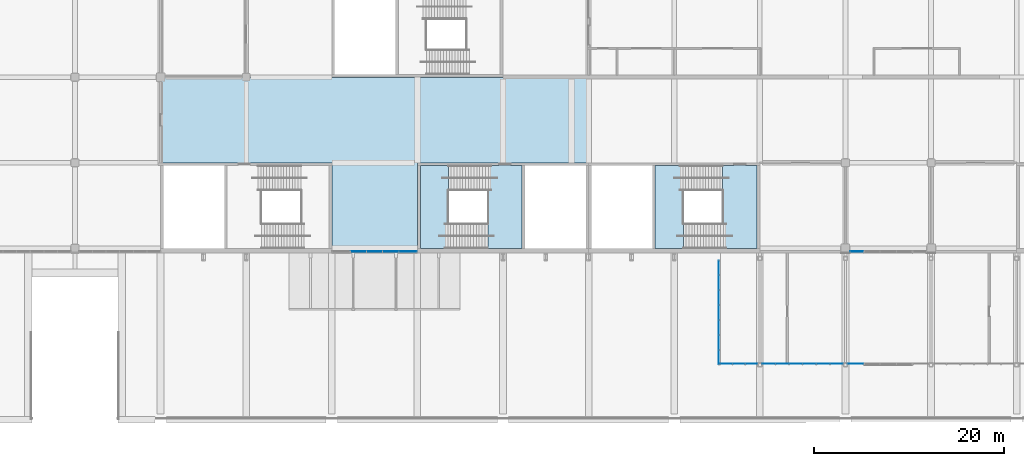
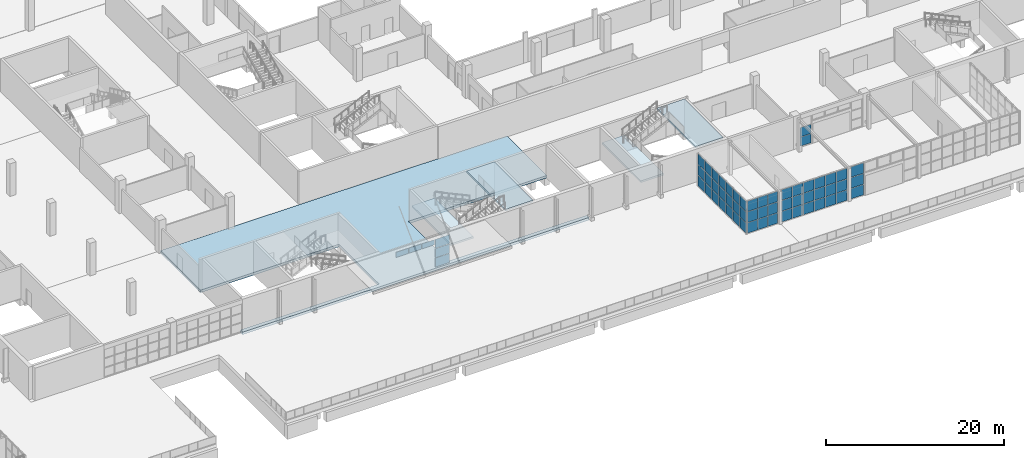
# One storey, part 78 of 168: 59 plates, 5 slabs, 9 elements without a shape of their own.
"""IFC4 building model written with IfcOpenShell, lengths in metres."""

from ifc_helpers import new_model, si_unit, direction, frame, origin, origin_2d, place, context, subcontext, project, spatial, polyline, rectangle, outline, extrude, material, layer, layer_set, type_object, element, aggregate, save


model = new_model("IFC4")

# Units and contexts
model_context = context("Model", 3, precision=1e-05, world=origin(), true_north=direction((0.0, 1.0)))
body_context = subcontext(model_context, "Body", "Model", "MODEL_VIEW")
ifc_project = project(units=[si_unit("LENGTHUNIT", "METRE"), si_unit("AREAUNIT", "SQUARE_METRE"), si_unit("VOLUMEUNIT", "CUBIC_METRE"), si_unit("PLANEANGLEUNIT", "RADIAN"), si_unit("MASSUNIT", "GRAM", prefix="KILO")], contexts=[model_context])

# Site, building, storey
site_placement = place(None, origin())
site = spatial("IfcSite", under=ifc_project, at=site_placement, CompositionType="ELEMENT")
building_placement = place(site_placement, origin())
building = spatial("IfcBuilding", under=site, at=building_placement, Name="Silverbay Arena", CompositionType="ELEMENT")
storey_placement = place(building_placement, frame((0.0, 0.0, 7.0)))
storey = spatial("IfcBuildingStorey", under=building, at=storey_placement, Name="L01", CompositionType="ELEMENT", Elevation=7.0)

# Curtain wall, plates
ifc_material_1 = material(Name="Aluminium framed curtain wall", Category="aluminium")
curtain_wall_type_1 = type_object("IfcCurtainWallType", Name="Curtain wall 1950 x 3900", PredefinedType="NOTDEFINED", material=ifc_material_1)
curtain_wall_1_placement = place(storey_placement, origin())
curtain_wall_1 = element("IfcCurtainWall", 1, at=curtain_wall_1_placement, inside=storey, type_object=curtain_wall_type_1, Name="South curtain wall L01 bay 6", PredefinedType="NOTDEFINED")
ifc_material_2 = material(Name="Laminated glass", Category="glass")
ifc_layer_1 = layer(ifc_material_2, 0.028076171875)
ifc_layer_set_1 = layer_set([ifc_layer_1], Name="Laminated glass")
plate_type = type_object("IfcPlateType", Name="Glass panel 28", PredefinedType="CURTAIN_PANEL", material=ifc_layer_set_1)
plate_1_placement = place(storey_placement, frame((80.02490234375, 17.669921875, 0.050048828125), z_axis=(0.0, 0.0, 1.0), x_axis=(1.0, 0.0, 0.0)))
plate_1 = element("IfcPlate", 2, at=plate_1_placement, type_object=plate_type, Name="CW2 panel 1.1", PredefinedType="CURTAIN_PANEL", context=body_context, shape_type="SweptSolid", body=[
    extrude(rectangle(XDim=1.830078125, YDim=0.028076171875, at=origin_2d()), origin(), (0.0, 0.0, 1.0), 1.22509765625),
])
plate_2_placement = place(storey_placement, frame((80.02490234375, 17.669921875, 1.324951171875), z_axis=(0.0, 0.0, 1.0), x_axis=(1.0, 0.0, 0.0)))
plate_2 = element("IfcPlate", 3, at=plate_2_placement, type_object=plate_type, Name="CW2 panel 1.2", PredefinedType="CURTAIN_PANEL", context=body_context, shape_type="SweptSolid", body=[
    extrude(rectangle(XDim=1.830078125, YDim=0.028076171875, at=origin_2d()), origin(), (0.0, 0.0, 1.0), 1.25),
])
plate_3_placement = place(storey_placement, frame((80.02490234375, 17.669921875, 2.625), z_axis=(0.0, 0.0, 1.0), x_axis=(1.0, 0.0, 0.0)))
plate_3 = element("IfcPlate", 4, at=plate_3_placement, type_object=plate_type, Name="CW2 panel 1.3", PredefinedType="CURTAIN_PANEL", context=body_context, shape_type="SweptSolid", body=[
    extrude(rectangle(XDim=1.830078125, YDim=0.028076171875, at=origin_2d()), origin(), (0.0, 0.0, 1.0), 1.22509765625),
])
aggregate(curtain_wall_1, [plate_1, plate_2, plate_3])

ifc_material_3 = material(Name="Aluminium framed curtain wall", Category="aluminium")
curtain_wall_type_2 = type_object("IfcCurtainWallType", Name="Curtain wall 5100 x 800", PredefinedType="NOTDEFINED", material=ifc_material_3)
curtain_wall_2_placement = place(storey_placement, origin())
curtain_wall_2 = element("IfcCurtainWall", 5, at=curtain_wall_2_placement, inside=storey, type_object=curtain_wall_type_2, Name="South curtain wall L01 bay 6", PredefinedType="NOTDEFINED")
plate_4_placement = place(storey_placement, frame((74.81494140625, 17.669921875, 3.14990234375), z_axis=(0.0, 0.0, 1.0), x_axis=(1.0, 0.0, 0.0)))
plate_4 = element("IfcPlate", 6, at=plate_4_placement, type_object=plate_type, Name="CW3 panel 1.1", PredefinedType="CURTAIN_PANEL", context=body_context, shape_type="SweptSolid", body=[
    extrude(rectangle(XDim=1.610107421875, YDim=0.028076171875, at=origin_2d()), origin(), (0.0, 0.0, 1.0), 0.699951171875),
])
plate_5_placement = place(storey_placement, frame((76.5, 17.669921875, 3.14990234375), z_axis=(0.0, 0.0, 1.0), x_axis=(1.0, 0.0, 0.0)))
plate_5 = element("IfcPlate", 7, at=plate_5_placement, type_object=plate_type, Name="CW3 panel 2.1", PredefinedType="CURTAIN_PANEL", context=body_context, shape_type="SweptSolid", body=[
    extrude(rectangle(XDim=1.639892578125, YDim=0.028076171875, at=origin_2d()), origin(), (0.0, 0.0, 1.0), 0.699951171875),
])
plate_6_placement = place(storey_placement, frame((78.18505859375, 17.669921875, 3.14990234375), z_axis=(0.0, 0.0, 1.0), x_axis=(1.0, 0.0, 0.0)))
plate_6 = element("IfcPlate", 8, at=plate_6_placement, type_object=plate_type, Name="CW3 panel 3.1", PredefinedType="CURTAIN_PANEL", context=body_context, shape_type="SweptSolid", body=[
    extrude(rectangle(XDim=1.610107421875, YDim=0.028076171875, at=origin_2d()), origin(), (0.0, 0.0, 1.0), 0.699951171875),
])
aggregate(curtain_wall_2, [plate_4, plate_5, plate_6])

ifc_material_4 = material(Name="Aluminium framed curtain wall", Category="aluminium")
curtain_wall_type_3 = type_object("IfcCurtainWallType", Name="Curtain wall 1500 x 3900", PredefinedType="NOTDEFINED", material=ifc_material_4)
curtain_wall_3_placement = place(storey_placement, origin())
curtain_wall_3 = element("IfcCurtainWall", 9, at=curtain_wall_3_placement, inside=storey, type_object=curtain_wall_type_3, Name="South curtain wall L01 bay 12", PredefinedType="NOTDEFINED")
plate_7_placement = place(storey_placement, frame((127.199951171875, 17.669921875, 0.050048828125), z_axis=(0.0, 0.0, 1.0), x_axis=(1.0, 0.0, 0.0)))
plate_7 = element("IfcPlate", 10, at=plate_7_placement, type_object=plate_type, Name="CW4 panel 1.1", PredefinedType="CURTAIN_PANEL", context=body_context, shape_type="SweptSolid", body=[
    extrude(rectangle(XDim=1.3798828125, YDim=0.028076171875, at=origin_2d()), origin(), (0.0, 0.0, 1.0), 1.22509765625),
])
plate_8_placement = place(storey_placement, frame((127.199951171875, 17.669921875, 1.324951171875), z_axis=(0.0, 0.0, 1.0), x_axis=(1.0, 0.0, 0.0)))
plate_8 = element("IfcPlate", 11, at=plate_8_placement, type_object=plate_type, Name="CW4 panel 1.2", PredefinedType="CURTAIN_PANEL", context=body_context, shape_type="SweptSolid", body=[
    extrude(rectangle(XDim=1.3798828125, YDim=0.028076171875, at=origin_2d()), origin(), (0.0, 0.0, 1.0), 1.25),
])
aggregate(curtain_wall_3, [plate_7, plate_8])

ifc_material_5 = material(Name="Aluminium framed curtain wall", Category="aluminium")
curtain_wall_type_4 = type_object("IfcCurtainWallType", Name="Curtain wall 8600 x 4500", PredefinedType="NOTDEFINED", material=ifc_material_5)
curtain_wall_4_placement = place(storey_placement, origin())
curtain_wall_4 = element("IfcCurtainWall", 12, at=curtain_wall_4_placement, inside=storey, type_object=curtain_wall_type_4, Name="South entrance hall S1 glazing F0", PredefinedType="NOTDEFINED")
plate_9_placement = place(storey_placement, frame((117.931640625, 5.860107421875, 0.0498046875), z_axis=(0.0, 0.0, 1.0), x_axis=(1.0, 0.0, 0.0)))
plate_9 = element("IfcPlate", 13, at=plate_9_placement, type_object=plate_type, Name="CW24 panel 1.1", PredefinedType="CURTAIN_PANEL", context=body_context, shape_type="SweptSolid", body=[
    extrude(rectangle(XDim=1.34326171875, YDim=0.028076171875, at=origin_2d()), origin(), (0.0, 0.0, 1.0), 1.425048828125),
])
plate_10_placement = place(storey_placement, frame((117.931640625, 5.860107421875, 1.52490234375), z_axis=(0.0, 0.0, 1.0), x_axis=(1.0, 0.0, 0.0)))
plate_10 = element("IfcPlate", 14, at=plate_10_placement, type_object=plate_type, Name="CW24 panel 1.2", PredefinedType="CURTAIN_PANEL", context=body_context, shape_type="SweptSolid", body=[
    extrude(rectangle(XDim=1.34326171875, YDim=0.028076171875, at=origin_2d()), origin(), (0.0, 0.0, 1.0), 1.449951171875),
])
plate_11_placement = place(storey_placement, frame((117.931640625, 5.860107421875, 3.02490234375), z_axis=(0.0, 0.0, 1.0), x_axis=(1.0, 0.0, 0.0)))
plate_11 = element("IfcPlate", 15, at=plate_11_placement, type_object=plate_type, Name="CW24 panel 1.3", PredefinedType="CURTAIN_PANEL", context=body_context, shape_type="SweptSolid", body=[
    extrude(rectangle(XDim=1.34326171875, YDim=0.028076171875, at=origin_2d()), origin(), (0.0, 0.0, 1.0), 1.425048828125),
])
plate_12_placement = place(storey_placement, frame((119.35009765625, 5.860107421875, 0.0498046875), z_axis=(0.0, 0.0, 1.0), x_axis=(1.0, 0.0, 0.0)))
plate_12 = element("IfcPlate", 16, at=plate_12_placement, type_object=plate_type, Name="CW24 panel 2.1", PredefinedType="CURTAIN_PANEL", context=body_context, shape_type="SweptSolid", body=[
    extrude(rectangle(XDim=1.373291015625, YDim=0.028076171875, at=origin_2d()), origin(), (0.0, 0.0, 1.0), 1.425048828125),
])
plate_13_placement = place(storey_placement, frame((119.35009765625, 5.860107421875, 1.52490234375), z_axis=(0.0, 0.0, 1.0), x_axis=(1.0, 0.0, 0.0)))
plate_13 = element("IfcPlate", 17, at=plate_13_placement, type_object=plate_type, Name="CW24 panel 2.2", PredefinedType="CURTAIN_PANEL", context=body_context, shape_type="SweptSolid", body=[
    extrude(rectangle(XDim=1.373291015625, YDim=0.028076171875, at=origin_2d()), origin(), (0.0, 0.0, 1.0), 1.449951171875),
])
plate_14_placement = place(storey_placement, frame((119.35009765625, 5.860107421875, 3.02490234375), z_axis=(0.0, 0.0, 1.0), x_axis=(1.0, 0.0, 0.0)))
plate_14 = element("IfcPlate", 18, at=plate_14_placement, type_object=plate_type, Name="CW24 panel 2.3", PredefinedType="CURTAIN_PANEL", context=body_context, shape_type="SweptSolid", body=[
    extrude(rectangle(XDim=1.373291015625, YDim=0.028076171875, at=origin_2d()), origin(), (0.0, 0.0, 1.0), 1.425048828125),
])
plate_15_placement = place(storey_placement, frame((120.783447265625, 5.860107421875, 0.0498046875), z_axis=(0.0, 0.0, 1.0), x_axis=(1.0, 0.0, 0.0)))
plate_15 = element("IfcPlate", 19, at=plate_15_placement, type_object=plate_type, Name="CW24 panel 3.1", PredefinedType="CURTAIN_PANEL", context=body_context, shape_type="SweptSolid", body=[
    extrude(rectangle(XDim=1.373291015625, YDim=0.028076171875, at=origin_2d()), origin(), (0.0, 0.0, 1.0), 1.425048828125),
])
plate_16_placement = place(storey_placement, frame((120.783447265625, 5.860107421875, 1.52490234375), z_axis=(0.0, 0.0, 1.0), x_axis=(1.0, 0.0, 0.0)))
plate_16 = element("IfcPlate", 20, at=plate_16_placement, type_object=plate_type, Name="CW24 panel 3.2", PredefinedType="CURTAIN_PANEL", context=body_context, shape_type="SweptSolid", body=[
    extrude(rectangle(XDim=1.373291015625, YDim=0.028076171875, at=origin_2d()), origin(), (0.0, 0.0, 1.0), 1.449951171875),
])
plate_17_placement = place(storey_placement, frame((120.783447265625, 5.860107421875, 3.02490234375), z_axis=(0.0, 0.0, 1.0), x_axis=(1.0, 0.0, 0.0)))
plate_17 = element("IfcPlate", 21, at=plate_17_placement, type_object=plate_type, Name="CW24 panel 3.3", PredefinedType="CURTAIN_PANEL", context=body_context, shape_type="SweptSolid", body=[
    extrude(rectangle(XDim=1.373291015625, YDim=0.028076171875, at=origin_2d()), origin(), (0.0, 0.0, 1.0), 1.425048828125),
])
plate_18_placement = place(storey_placement, frame((122.216552734375, 5.860107421875, 0.0498046875), z_axis=(0.0, 0.0, 1.0), x_axis=(1.0, 0.0, 0.0)))
plate_18 = element("IfcPlate", 22, at=plate_18_placement, type_object=plate_type, Name="CW24 panel 4.1", PredefinedType="CURTAIN_PANEL", context=body_context, shape_type="SweptSolid", body=[
    extrude(rectangle(XDim=1.373291015625, YDim=0.028076171875, at=origin_2d()), origin(), (0.0, 0.0, 1.0), 1.425048828125),
])
plate_19_placement = place(storey_placement, frame((122.216552734375, 5.860107421875, 1.52490234375), z_axis=(0.0, 0.0, 1.0), x_axis=(1.0, 0.0, 0.0)))
plate_19 = element("IfcPlate", 23, at=plate_19_placement, type_object=plate_type, Name="CW24 panel 4.2", PredefinedType="CURTAIN_PANEL", context=body_context, shape_type="SweptSolid", body=[
    extrude(rectangle(XDim=1.373291015625, YDim=0.028076171875, at=origin_2d()), origin(), (0.0, 0.0, 1.0), 1.449951171875),
])
plate_20_placement = place(storey_placement, frame((122.216552734375, 5.860107421875, 3.02490234375), z_axis=(0.0, 0.0, 1.0), x_axis=(1.0, 0.0, 0.0)))
plate_20 = element("IfcPlate", 24, at=plate_20_placement, type_object=plate_type, Name="CW24 panel 4.3", PredefinedType="CURTAIN_PANEL", context=body_context, shape_type="SweptSolid", body=[
    extrude(rectangle(XDim=1.373291015625, YDim=0.028076171875, at=origin_2d()), origin(), (0.0, 0.0, 1.0), 1.425048828125),
])
plate_21_placement = place(storey_placement, frame((123.64990234375, 5.860107421875, 0.0498046875), z_axis=(0.0, 0.0, 1.0), x_axis=(1.0, 0.0, 0.0)))
plate_21 = element("IfcPlate", 25, at=plate_21_placement, type_object=plate_type, Name="CW24 panel 5.1", PredefinedType="CURTAIN_PANEL", context=body_context, shape_type="SweptSolid", body=[
    extrude(rectangle(XDim=1.373291015625, YDim=0.028076171875, at=origin_2d()), origin(), (0.0, 0.0, 1.0), 1.425048828125),
])
plate_22_placement = place(storey_placement, frame((123.64990234375, 5.860107421875, 1.52490234375), z_axis=(0.0, 0.0, 1.0), x_axis=(1.0, 0.0, 0.0)))
plate_22 = element("IfcPlate", 26, at=plate_22_placement, type_object=plate_type, Name="CW24 panel 5.2", PredefinedType="CURTAIN_PANEL", context=body_context, shape_type="SweptSolid", body=[
    extrude(rectangle(XDim=1.373291015625, YDim=0.028076171875, at=origin_2d()), origin(), (0.0, 0.0, 1.0), 1.449951171875),
])
plate_23_placement = place(storey_placement, frame((123.64990234375, 5.860107421875, 3.02490234375), z_axis=(0.0, 0.0, 1.0), x_axis=(1.0, 0.0, 0.0)))
plate_23 = element("IfcPlate", 27, at=plate_23_placement, type_object=plate_type, Name="CW24 panel 5.3", PredefinedType="CURTAIN_PANEL", context=body_context, shape_type="SweptSolid", body=[
    extrude(rectangle(XDim=1.373291015625, YDim=0.028076171875, at=origin_2d()), origin(), (0.0, 0.0, 1.0), 1.425048828125),
])
plate_24_placement = place(storey_placement, frame((125.068359375, 5.860107421875, 0.0498046875), z_axis=(0.0, 0.0, 1.0), x_axis=(1.0, 0.0, 0.0)))
plate_24 = element("IfcPlate", 28, at=plate_24_placement, type_object=plate_type, Name="CW24 panel 6.1", PredefinedType="CURTAIN_PANEL", context=body_context, shape_type="SweptSolid", body=[
    extrude(rectangle(XDim=1.34326171875, YDim=0.028076171875, at=origin_2d()), origin(), (0.0, 0.0, 1.0), 1.425048828125),
])
plate_25_placement = place(storey_placement, frame((125.068359375, 5.860107421875, 1.52490234375), z_axis=(0.0, 0.0, 1.0), x_axis=(1.0, 0.0, 0.0)))
plate_25 = element("IfcPlate", 29, at=plate_25_placement, type_object=plate_type, Name="CW24 panel 6.2", PredefinedType="CURTAIN_PANEL", context=body_context, shape_type="SweptSolid", body=[
    extrude(rectangle(XDim=1.34326171875, YDim=0.028076171875, at=origin_2d()), origin(), (0.0, 0.0, 1.0), 1.449951171875),
])
plate_26_placement = place(storey_placement, frame((125.068359375, 5.860107421875, 3.02490234375), z_axis=(0.0, 0.0, 1.0), x_axis=(1.0, 0.0, 0.0)))
plate_26 = element("IfcPlate", 30, at=plate_26_placement, type_object=plate_type, Name="CW24 panel 6.3", PredefinedType="CURTAIN_PANEL", context=body_context, shape_type="SweptSolid", body=[
    extrude(rectangle(XDim=1.34326171875, YDim=0.028076171875, at=origin_2d()), origin(), (0.0, 0.0, 1.0), 1.425048828125),
])
aggregate(curtain_wall_4, [plate_9, plate_10, plate_11, plate_12, plate_13, plate_14, plate_15, plate_16, plate_17, plate_18, plate_19, plate_20, plate_21, plate_22, plate_23, plate_24, plate_25, plate_26])

ifc_material_6 = material(Name="Aluminium framed curtain wall", Category="aluminium")
curtain_wall_type_5 = type_object("IfcCurtainWallType", Name="Curtain wall 1750 x 4500", PredefinedType="NOTDEFINED", material=ifc_material_6)
curtain_wall_5_placement = place(storey_placement, origin())
curtain_wall_5 = element("IfcCurtainWall", 31, at=curtain_wall_5_placement, inside=storey, type_object=curtain_wall_type_5, Name="South entrance hall S1 glazing F1a", PredefinedType="NOTDEFINED")
plate_27_placement = place(storey_placement, frame((127.074951171875, 5.860107421875, 0.0498046875), z_axis=(0.0, 0.0, 1.0), x_axis=(1.0, 0.0, 0.0)))
plate_27 = element("IfcPlate", 32, at=plate_27_placement, type_object=plate_type, Name="CW28 panel 1.1", PredefinedType="CURTAIN_PANEL", context=body_context, shape_type="SweptSolid", body=[
    extrude(rectangle(XDim=1.6298828125, YDim=0.028076171875, at=origin_2d()), origin(), (0.0, 0.0, 1.0), 1.425048828125),
])
plate_28_placement = place(storey_placement, frame((127.074951171875, 5.860107421875, 1.52490234375), z_axis=(0.0, 0.0, 1.0), x_axis=(1.0, 0.0, 0.0)))
plate_28 = element("IfcPlate", 33, at=plate_28_placement, type_object=plate_type, Name="CW28 panel 1.2", PredefinedType="CURTAIN_PANEL", context=body_context, shape_type="SweptSolid", body=[
    extrude(rectangle(XDim=1.6298828125, YDim=0.028076171875, at=origin_2d()), origin(), (0.0, 0.0, 1.0), 1.449951171875),
])
plate_29_placement = place(storey_placement, frame((127.074951171875, 5.860107421875, 3.02490234375), z_axis=(0.0, 0.0, 1.0), x_axis=(1.0, 0.0, 0.0)))
plate_29 = element("IfcPlate", 34, at=plate_29_placement, type_object=plate_type, Name="CW28 panel 1.3", PredefinedType="CURTAIN_PANEL", context=body_context, shape_type="SweptSolid", body=[
    extrude(rectangle(XDim=1.6298828125, YDim=0.028076171875, at=origin_2d()), origin(), (0.0, 0.0, 1.0), 1.425048828125),
])
aggregate(curtain_wall_5, [plate_27, plate_28, plate_29])

ifc_material_7 = material(Name="Aluminium framed curtain wall", Category="aluminium")
curtain_wall_type_6 = type_object("IfcCurtainWallType", Name="Curtain wall 4000 x 4500", PredefinedType="NOTDEFINED", material=ifc_material_7)
curtain_wall_6_placement = place(storey_placement, origin())
curtain_wall_6 = element("IfcCurtainWall", 35, at=curtain_wall_6_placement, inside=storey, type_object=curtain_wall_type_6, Name="South entrance hall S1 glazing F-a", PredefinedType="NOTDEFINED")
plate_30_placement = place(storey_placement, frame((113.481689453125, 5.860107421875, 0.0498046875), z_axis=(0.0, 0.0, 1.0), x_axis=(1.0, 0.0, 0.0)))
plate_30 = element("IfcPlate", 36, at=plate_30_placement, type_object=plate_type, Name="CW32 panel 1.1", PredefinedType="CURTAIN_PANEL", context=body_context, shape_type="SweptSolid", body=[
    extrude(rectangle(XDim=1.243408203125, YDim=0.028076171875, at=origin_2d()), origin(), (0.0, 0.0, 1.0), 1.425048828125),
])
plate_31_placement = place(storey_placement, frame((113.481689453125, 5.860107421875, 1.52490234375), z_axis=(0.0, 0.0, 1.0), x_axis=(1.0, 0.0, 0.0)))
plate_31 = element("IfcPlate", 37, at=plate_31_placement, type_object=plate_type, Name="CW32 panel 1.2", PredefinedType="CURTAIN_PANEL", context=body_context, shape_type="SweptSolid", body=[
    extrude(rectangle(XDim=1.243408203125, YDim=0.028076171875, at=origin_2d()), origin(), (0.0, 0.0, 1.0), 1.449951171875),
])
plate_32_placement = place(storey_placement, frame((113.481689453125, 5.860107421875, 3.02490234375), z_axis=(0.0, 0.0, 1.0), x_axis=(1.0, 0.0, 0.0)))
plate_32 = element("IfcPlate", 38, at=plate_32_placement, type_object=plate_type, Name="CW32 panel 1.3", PredefinedType="CURTAIN_PANEL", context=body_context, shape_type="SweptSolid", body=[
    extrude(rectangle(XDim=1.243408203125, YDim=0.028076171875, at=origin_2d()), origin(), (0.0, 0.0, 1.0), 1.425048828125),
])
plate_33_placement = place(storey_placement, frame((114.800048828125, 5.860107421875, 0.0498046875), z_axis=(0.0, 0.0, 1.0), x_axis=(1.0, 0.0, 0.0)))
plate_33 = element("IfcPlate", 39, at=plate_33_placement, type_object=plate_type, Name="CW32 panel 2.1", PredefinedType="CURTAIN_PANEL", context=body_context, shape_type="SweptSolid", body=[
    extrude(rectangle(XDim=1.2734375, YDim=0.028076171875, at=origin_2d()), origin(), (0.0, 0.0, 1.0), 1.425048828125),
])
plate_34_placement = place(storey_placement, frame((114.800048828125, 5.860107421875, 1.52490234375), z_axis=(0.0, 0.0, 1.0), x_axis=(1.0, 0.0, 0.0)))
plate_34 = element("IfcPlate", 40, at=plate_34_placement, type_object=plate_type, Name="CW32 panel 2.2", PredefinedType="CURTAIN_PANEL", context=body_context, shape_type="SweptSolid", body=[
    extrude(rectangle(XDim=1.2734375, YDim=0.028076171875, at=origin_2d()), origin(), (0.0, 0.0, 1.0), 1.449951171875),
])
plate_35_placement = place(storey_placement, frame((114.800048828125, 5.860107421875, 3.02490234375), z_axis=(0.0, 0.0, 1.0), x_axis=(1.0, 0.0, 0.0)))
plate_35 = element("IfcPlate", 41, at=plate_35_placement, type_object=plate_type, Name="CW32 panel 2.3", PredefinedType="CURTAIN_PANEL", context=body_context, shape_type="SweptSolid", body=[
    extrude(rectangle(XDim=1.2734375, YDim=0.028076171875, at=origin_2d()), origin(), (0.0, 0.0, 1.0), 1.425048828125),
])
plate_36_placement = place(storey_placement, frame((116.118408203125, 5.860107421875, 0.0498046875), z_axis=(0.0, 0.0, 1.0), x_axis=(1.0, 0.0, 0.0)))
plate_36 = element("IfcPlate", 42, at=plate_36_placement, type_object=plate_type, Name="CW32 panel 3.1", PredefinedType="CURTAIN_PANEL", context=body_context, shape_type="SweptSolid", body=[
    extrude(rectangle(XDim=1.243408203125, YDim=0.028076171875, at=origin_2d()), origin(), (0.0, 0.0, 1.0), 1.425048828125),
])
plate_37_placement = place(storey_placement, frame((116.118408203125, 5.860107421875, 1.52490234375), z_axis=(0.0, 0.0, 1.0), x_axis=(1.0, 0.0, 0.0)))
plate_37 = element("IfcPlate", 43, at=plate_37_placement, type_object=plate_type, Name="CW32 panel 3.2", PredefinedType="CURTAIN_PANEL", context=body_context, shape_type="SweptSolid", body=[
    extrude(rectangle(XDim=1.243408203125, YDim=0.028076171875, at=origin_2d()), origin(), (0.0, 0.0, 1.0), 1.449951171875),
])
plate_38_placement = place(storey_placement, frame((116.118408203125, 5.860107421875, 3.02490234375), z_axis=(0.0, 0.0, 1.0), x_axis=(1.0, 0.0, 0.0)))
plate_38 = element("IfcPlate", 44, at=plate_38_placement, type_object=plate_type, Name="CW32 panel 3.3", PredefinedType="CURTAIN_PANEL", context=body_context, shape_type="SweptSolid", body=[
    extrude(rectangle(XDim=1.243408203125, YDim=0.028076171875, at=origin_2d()), origin(), (0.0, 0.0, 1.0), 1.425048828125),
])
aggregate(curtain_wall_6, [plate_30, plate_31, plate_32, plate_33, plate_34, plate_35, plate_36, plate_37, plate_38])

ifc_material_8 = material(Name="Aluminium framed curtain wall", Category="aluminium")
curtain_wall_type_7 = type_object("IfcCurtainWallType", Name="Curtain wall 11000 x 4500", PredefinedType="NOTDEFINED", material=ifc_material_8)
curtain_wall_7_placement = place(storey_placement, origin())
curtain_wall_7 = element("IfcCurtainWall", 45, at=curtain_wall_7_placement, inside=storey, type_object=curtain_wall_type_7, Name="South entrance hall S1 glazing SA", PredefinedType="NOTDEFINED")
plate_39_placement = place(storey_placement, frame((112.68994140625, 6.55078125, 0.0498046875), z_axis=(0.0, 0.0, 1.0), x_axis=(0.0, 1.0, 0.0)))
plate_39 = element("IfcPlate", 46, at=plate_39_placement, type_object=plate_type, Name="CW36 panel 1.1", PredefinedType="CURTAIN_PANEL", context=body_context, shape_type="SweptSolid", body=[
    extrude(rectangle(XDim=1.4814453125, YDim=0.028076171875, at=origin_2d()), origin(), (0.0, 0.0, 1.0), 1.425048828125),
])
plate_40_placement = place(storey_placement, frame((112.68994140625, 6.55078125, 1.52490234375), z_axis=(0.0, 0.0, 1.0), x_axis=(0.0, 1.0, 0.0)))
plate_40 = element("IfcPlate", 47, at=plate_40_placement, type_object=plate_type, Name="CW36 panel 1.2", PredefinedType="CURTAIN_PANEL", context=body_context, shape_type="SweptSolid", body=[
    extrude(rectangle(XDim=1.4814453125, YDim=0.028076171875, at=origin_2d()), origin(), (0.0, 0.0, 1.0), 1.449951171875),
])
plate_41_placement = place(storey_placement, frame((112.68994140625, 6.55078125, 3.02490234375), z_axis=(0.0, 0.0, 1.0), x_axis=(0.0, 1.0, 0.0)))
plate_41 = element("IfcPlate", 48, at=plate_41_placement, type_object=plate_type, Name="CW36 panel 1.3", PredefinedType="CURTAIN_PANEL", context=body_context, shape_type="SweptSolid", body=[
    extrude(rectangle(XDim=1.4814453125, YDim=0.028076171875, at=origin_2d()), origin(), (0.0, 0.0, 1.0), 1.425048828125),
])
plate_42_placement = place(storey_placement, frame((112.68994140625, 8.107177734375, 0.0498046875), z_axis=(0.0, 0.0, 1.0), x_axis=(0.0, 1.0, 0.0)))
plate_42 = element("IfcPlate", 49, at=plate_42_placement, type_object=plate_type, Name="CW36 panel 2.1", PredefinedType="CURTAIN_PANEL", context=body_context, shape_type="SweptSolid", body=[
    extrude(rectangle(XDim=1.511474609375, YDim=0.028076171875, at=origin_2d()), origin(), (0.0, 0.0, 1.0), 1.425048828125),
])
plate_43_placement = place(storey_placement, frame((112.68994140625, 8.107177734375, 1.52490234375), z_axis=(0.0, 0.0, 1.0), x_axis=(0.0, 1.0, 0.0)))
plate_43 = element("IfcPlate", 50, at=plate_43_placement, type_object=plate_type, Name="CW36 panel 2.2", PredefinedType="CURTAIN_PANEL", context=body_context, shape_type="SweptSolid", body=[
    extrude(rectangle(XDim=1.511474609375, YDim=0.028076171875, at=origin_2d()), origin(), (0.0, 0.0, 1.0), 1.449951171875),
])
plate_44_placement = place(storey_placement, frame((112.68994140625, 8.107177734375, 3.02490234375), z_axis=(0.0, 0.0, 1.0), x_axis=(0.0, 1.0, 0.0)))
plate_44 = element("IfcPlate", 51, at=plate_44_placement, type_object=plate_type, Name="CW36 panel 2.3", PredefinedType="CURTAIN_PANEL", context=body_context, shape_type="SweptSolid", body=[
    extrude(rectangle(XDim=1.511474609375, YDim=0.028076171875, at=origin_2d()), origin(), (0.0, 0.0, 1.0), 1.425048828125),
])
plate_45_placement = place(storey_placement, frame((112.68994140625, 9.678466796875, 0.0498046875), z_axis=(0.0, 0.0, 1.0), x_axis=(0.0, 1.0, 0.0)))
plate_45 = element("IfcPlate", 52, at=plate_45_placement, type_object=plate_type, Name="CW36 panel 3.1", PredefinedType="CURTAIN_PANEL", context=body_context, shape_type="SweptSolid", body=[
    extrude(rectangle(XDim=1.511474609375, YDim=0.028076171875, at=origin_2d()), origin(), (0.0, 0.0, 1.0), 1.425048828125),
])
plate_46_placement = place(storey_placement, frame((112.68994140625, 9.678466796875, 1.52490234375), z_axis=(0.0, 0.0, 1.0), x_axis=(0.0, 1.0, 0.0)))
plate_46 = element("IfcPlate", 53, at=plate_46_placement, type_object=plate_type, Name="CW36 panel 3.2", PredefinedType="CURTAIN_PANEL", context=body_context, shape_type="SweptSolid", body=[
    extrude(rectangle(XDim=1.511474609375, YDim=0.028076171875, at=origin_2d()), origin(), (0.0, 0.0, 1.0), 1.449951171875),
])
plate_47_placement = place(storey_placement, frame((112.68994140625, 9.678466796875, 3.02490234375), z_axis=(0.0, 0.0, 1.0), x_axis=(0.0, 1.0, 0.0)))
plate_47 = element("IfcPlate", 54, at=plate_47_placement, type_object=plate_type, Name="CW36 panel 3.3", PredefinedType="CURTAIN_PANEL", context=body_context, shape_type="SweptSolid", body=[
    extrude(rectangle(XDim=1.511474609375, YDim=0.028076171875, at=origin_2d()), origin(), (0.0, 0.0, 1.0), 1.425048828125),
])
plate_48_placement = place(storey_placement, frame((112.68994140625, 11.25, 0.0498046875), z_axis=(0.0, 0.0, 1.0), x_axis=(0.0, 1.0, 0.0)))
plate_48 = element("IfcPlate", 55, at=plate_48_placement, type_object=plate_type, Name="CW36 panel 4.1", PredefinedType="CURTAIN_PANEL", context=body_context, shape_type="SweptSolid", body=[
    extrude(rectangle(XDim=1.511474609375, YDim=0.028076171875, at=origin_2d()), origin(), (0.0, 0.0, 1.0), 1.425048828125),
])
plate_49_placement = place(storey_placement, frame((112.68994140625, 11.25, 1.52490234375), z_axis=(0.0, 0.0, 1.0), x_axis=(0.0, 1.0, 0.0)))
plate_49 = element("IfcPlate", 56, at=plate_49_placement, type_object=plate_type, Name="CW36 panel 4.2", PredefinedType="CURTAIN_PANEL", context=body_context, shape_type="SweptSolid", body=[
    extrude(rectangle(XDim=1.511474609375, YDim=0.028076171875, at=origin_2d()), origin(), (0.0, 0.0, 1.0), 1.449951171875),
])
plate_50_placement = place(storey_placement, frame((112.68994140625, 11.25, 3.02490234375), z_axis=(0.0, 0.0, 1.0), x_axis=(0.0, 1.0, 0.0)))
plate_50 = element("IfcPlate", 57, at=plate_50_placement, type_object=plate_type, Name="CW36 panel 4.3", PredefinedType="CURTAIN_PANEL", context=body_context, shape_type="SweptSolid", body=[
    extrude(rectangle(XDim=1.511474609375, YDim=0.028076171875, at=origin_2d()), origin(), (0.0, 0.0, 1.0), 1.425048828125),
])
plate_51_placement = place(storey_placement, frame((112.68994140625, 12.821533203125, 0.0498046875), z_axis=(0.0, 0.0, 1.0), x_axis=(0.0, 1.0, 0.0)))
plate_51 = element("IfcPlate", 58, at=plate_51_placement, type_object=plate_type, Name="CW36 panel 5.1", PredefinedType="CURTAIN_PANEL", context=body_context, shape_type="SweptSolid", body=[
    extrude(rectangle(XDim=1.511474609375, YDim=0.028076171875, at=origin_2d()), origin(), (0.0, 0.0, 1.0), 1.425048828125),
])
plate_52_placement = place(storey_placement, frame((112.68994140625, 12.821533203125, 1.52490234375), z_axis=(0.0, 0.0, 1.0), x_axis=(0.0, 1.0, 0.0)))
plate_52 = element("IfcPlate", 59, at=plate_52_placement, type_object=plate_type, Name="CW36 panel 5.2", PredefinedType="CURTAIN_PANEL", context=body_context, shape_type="SweptSolid", body=[
    extrude(rectangle(XDim=1.511474609375, YDim=0.028076171875, at=origin_2d()), origin(), (0.0, 0.0, 1.0), 1.449951171875),
])
plate_53_placement = place(storey_placement, frame((112.68994140625, 12.821533203125, 3.02490234375), z_axis=(0.0, 0.0, 1.0), x_axis=(0.0, 1.0, 0.0)))
plate_53 = element("IfcPlate", 60, at=plate_53_placement, type_object=plate_type, Name="CW36 panel 5.3", PredefinedType="CURTAIN_PANEL", context=body_context, shape_type="SweptSolid", body=[
    extrude(rectangle(XDim=1.511474609375, YDim=0.028076171875, at=origin_2d()), origin(), (0.0, 0.0, 1.0), 1.425048828125),
])
plate_54_placement = place(storey_placement, frame((112.68994140625, 14.392822265625, 0.0498046875), z_axis=(0.0, 0.0, 1.0), x_axis=(0.0, 1.0, 0.0)))
plate_54 = element("IfcPlate", 61, at=plate_54_placement, type_object=plate_type, Name="CW36 panel 6.1", PredefinedType="CURTAIN_PANEL", context=body_context, shape_type="SweptSolid", body=[
    extrude(rectangle(XDim=1.511474609375, YDim=0.028076171875, at=origin_2d()), origin(), (0.0, 0.0, 1.0), 1.425048828125),
])
plate_55_placement = place(storey_placement, frame((112.68994140625, 14.392822265625, 1.52490234375), z_axis=(0.0, 0.0, 1.0), x_axis=(0.0, 1.0, 0.0)))
plate_55 = element("IfcPlate", 62, at=plate_55_placement, type_object=plate_type, Name="CW36 panel 6.2", PredefinedType="CURTAIN_PANEL", context=body_context, shape_type="SweptSolid", body=[
    extrude(rectangle(XDim=1.511474609375, YDim=0.028076171875, at=origin_2d()), origin(), (0.0, 0.0, 1.0), 1.449951171875),
])
plate_56_placement = place(storey_placement, frame((112.68994140625, 14.392822265625, 3.02490234375), z_axis=(0.0, 0.0, 1.0), x_axis=(0.0, 1.0, 0.0)))
plate_56 = element("IfcPlate", 63, at=plate_56_placement, type_object=plate_type, Name="CW36 panel 6.3", PredefinedType="CURTAIN_PANEL", context=body_context, shape_type="SweptSolid", body=[
    extrude(rectangle(XDim=1.511474609375, YDim=0.028076171875, at=origin_2d()), origin(), (0.0, 0.0, 1.0), 1.425048828125),
])
plate_57_placement = place(storey_placement, frame((112.68994140625, 15.94921875, 0.0498046875), z_axis=(0.0, 0.0, 1.0), x_axis=(0.0, 1.0, 0.0)))
plate_57 = element("IfcPlate", 64, at=plate_57_placement, type_object=plate_type, Name="CW36 panel 7.1", PredefinedType="CURTAIN_PANEL", context=body_context, shape_type="SweptSolid", body=[
    extrude(rectangle(XDim=1.4814453125, YDim=0.028076171875, at=origin_2d()), origin(), (0.0, 0.0, 1.0), 1.425048828125),
])
plate_58_placement = place(storey_placement, frame((112.68994140625, 15.94921875, 1.52490234375), z_axis=(0.0, 0.0, 1.0), x_axis=(0.0, 1.0, 0.0)))
plate_58 = element("IfcPlate", 65, at=plate_58_placement, type_object=plate_type, Name="CW36 panel 7.2", PredefinedType="CURTAIN_PANEL", context=body_context, shape_type="SweptSolid", body=[
    extrude(rectangle(XDim=1.4814453125, YDim=0.028076171875, at=origin_2d()), origin(), (0.0, 0.0, 1.0), 1.449951171875),
])
plate_59_placement = place(storey_placement, frame((112.68994140625, 15.94921875, 3.02490234375), z_axis=(0.0, 0.0, 1.0), x_axis=(0.0, 1.0, 0.0)))
plate_59 = element("IfcPlate", 66, at=plate_59_placement, type_object=plate_type, Name="CW36 panel 7.3", PredefinedType="CURTAIN_PANEL", context=body_context, shape_type="SweptSolid", body=[
    extrude(rectangle(XDim=1.4814453125, YDim=0.028076171875, at=origin_2d()), origin(), (0.0, 0.0, 1.0), 1.425048828125),
])
aggregate(curtain_wall_7, [plate_39, plate_40, plate_41, plate_42, plate_43, plate_44, plate_45, plate_46, plate_47, plate_48, plate_49, plate_50, plate_51, plate_52, plate_53, plate_54, plate_55, plate_56, plate_57, plate_58, plate_59])

# Slab
ifc_material_9 = material(Name="Concrete Grade C45", Category="concrete")
ifc_layer_2 = layer(ifc_material_9, 0.35009765625)
ifc_layer_set_2 = layer_set([ifc_layer_2], Name="Concrete Grade C45")
slab_type_1 = type_object("IfcSlabType", Name="RC floor slab 350", PredefinedType="FLOOR", material=ifc_layer_set_2)
slab_1_placement = place(storey_placement, frame((0.0, 0.0, -0.35009765625)))
element("IfcSlab", 67, at=slab_1_placement, inside=storey, type_object=slab_type_1, Name="Floor slab L01 unit 2", PredefinedType="FLOOR", context=body_context, shape_type="SweptSolid", body=[
    extrude(outline(polyline([(99.0, 35.97509765625), (99.0, 27.0), (81.0, 27.0), (81.0, 18.0), (99.0, 18.0), (99.0, 17.5), (54.0, 17.5), (54.0, 18.0), (72.0, 18.0), (72.0, 27.0), (54.0, 27.0), (54.0, 35.97509765625), (99.0, 35.97509765625)])), origin(), (0.0, 0.0, 1.0), 0.35009765625),
])

# Stair, slabs
ifc_material_10 = material(Name="Concrete Grade C45", Category="concrete")
stair_type = type_object("IfcStairType", Name="Stair 2600 wide 32 risers 140.6 x 300", PredefinedType="HALF_TURN_STAIR", material=ifc_material_10)
stair_1_placement = place(storey_placement, origin())
stair_1 = element("IfcStair", 68, at=stair_1_placement, inside=storey, type_object=stair_type, Name="Stair ST-S1 L01 to L02", PredefinedType="HALF_TURN_STAIR")
ifc_material_11 = material(Name="Concrete Grade C45", Category="concrete")
ifc_layer_3 = layer(ifc_material_11, 0.25)
ifc_layer_set_3 = layer_set([ifc_layer_3], Name="Concrete Grade C45")
slab_type_2 = type_object("IfcSlabType", Name="Stair landing RC 250", PredefinedType="LANDING", material=ifc_layer_set_3)
slab_2_placement = place(storey_placement, frame((0.0, 0.0, 2.0)))
slab_2 = element("IfcSlab", 69, at=slab_2_placement, type_object=slab_type_2, Name="Stair ST-S1 L01 to L02 landing 1", PredefinedType="LANDING", context=body_context, shape_type="SweptSolid", body=[
    extrude(outline(polyline([(84.25341796875, 26.699951171875), (81.300048828125, 26.699951171875), (81.300048828125, 18.0), (84.25341796875, 18.0), (84.25341796875, 26.699951171875)])), origin(), (0.0, 0.0, 1.0), 0.25),
])
slab_3_placement = place(storey_placement, frame((0.0, 0.0, 4.25)))
slab_3 = element("IfcSlab", 70, at=slab_3_placement, type_object=slab_type_2, Name="Stair ST-S1 L01 to L02 landing 2", PredefinedType="LANDING", context=body_context, shape_type="SweptSolid", body=[
    extrude(outline(polyline([(92.0, 26.699951171875), (88.39990234375, 26.699951171875), (88.39990234375, 18.0), (92.0, 18.0), (92.0, 26.699951171875)])), origin(), (0.0, 0.0, 1.0), 0.25),
])
aggregate(stair_1, [slab_2, slab_3])

stair_2_placement = place(storey_placement, origin())
stair_2 = element("IfcStair", 71, at=stair_2_placement, inside=storey, type_object=stair_type, Name="Stair ST-S2 L01 to L02", PredefinedType="HALF_TURN_STAIR")
slab_4_placement = place(storey_placement, frame((0.0, 0.0, 2.0)))
slab_4 = element("IfcSlab", 72, at=slab_4_placement, type_object=slab_type_2, Name="Stair ST-S2 L01 to L02 landing 1", PredefinedType="LANDING", context=body_context, shape_type="SweptSolid", body=[
    extrude(outline(polyline([(108.953369140625, 26.699951171875), (106.0, 26.699951171875), (106.0, 18.0), (108.953369140625, 18.0), (108.953369140625, 26.699951171875)])), origin(), (0.0, 0.0, 1.0), 0.25),
])
slab_5_placement = place(storey_placement, frame((0.0, 0.0, 4.25)))
slab_5 = element("IfcSlab", 73, at=slab_5_placement, type_object=slab_type_2, Name="Stair ST-S2 L01 to L02 landing 2", PredefinedType="LANDING", context=body_context, shape_type="SweptSolid", body=[
    extrude(outline(polyline([(116.699951171875, 26.699951171875), (113.10009765625, 26.699951171875), (113.10009765625, 18.0), (116.699951171875, 18.0), (116.699951171875, 26.699951171875)])), origin(), (0.0, 0.0, 1.0), 0.25),
])
aggregate(stair_2, [slab_4, slab_5])

save(model, "model.ifc")
